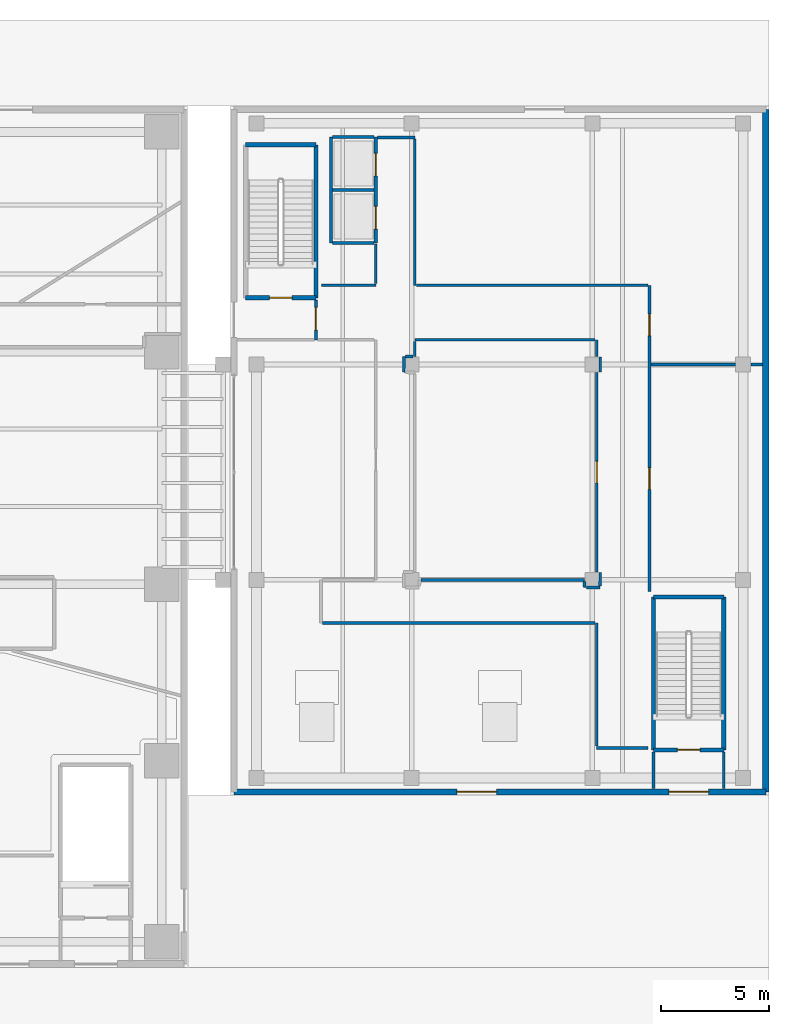
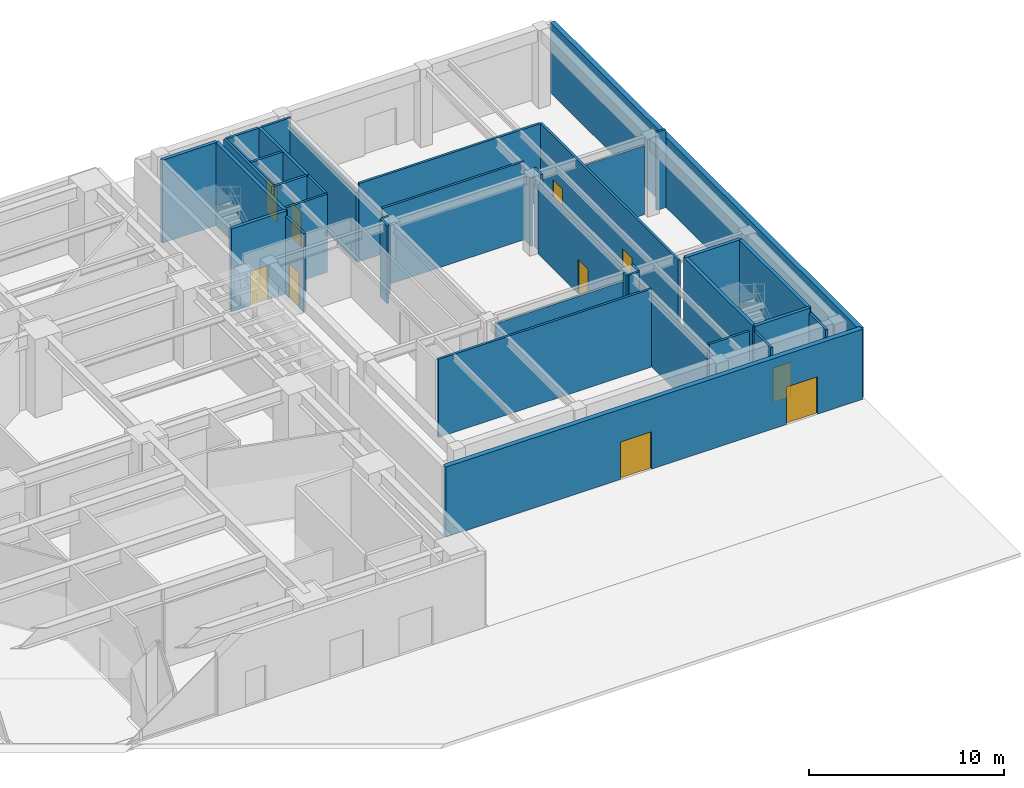
# One storey, part 22 of 28: 39 walls, 10 doors, 10 openings.
"""IFC4 building model written with IfcOpenShell, lengths in metres."""

from ifc_helpers import new_model, si_unit, direction, frame, frame_2d, origin, place, context, subcontext, project, spatial, rectangle, extrude, source, transform, mapped, material, layer, layer_set, type_object, type_shapes, element, fill, save


model = new_model("IFC4")

# Units and contexts
model_context = context("Model", 3, precision=1e-05, world=origin(), true_north=direction((0.0, 1.0)))
body_context = subcontext(model_context, "Body", "Model", "MODEL_VIEW")
ifc_project = project(units=[si_unit("LENGTHUNIT", "METRE"), si_unit("AREAUNIT", "SQUARE_METRE"), si_unit("VOLUMEUNIT", "CUBIC_METRE"), si_unit("PLANEANGLEUNIT", "RADIAN"), si_unit("MASSUNIT", "GRAM", prefix="KILO")], contexts=[model_context])

# Site, building, storey
site_placement = place(None, origin())
site = spatial("IfcSite", under=ifc_project, at=site_placement, CompositionType="ELEMENT")
building_placement = place(site_placement, origin())
building = spatial("IfcBuilding", under=site, at=building_placement, Name="Talar Marvaseh", CompositionType="ELEMENT")
storey_placement = place(building_placement, origin())
storey = spatial("IfcBuildingStorey", under=building, at=storey_placement, Name="L00", CompositionType="ELEMENT", Elevation=0.0)

# Walls
ifc_material_1 = material(Name="Gypsum Board Partition Assembly")
ifc_layer_1 = layer(ifc_material_1, 0.1201171875)
ifc_layer_set_1 = layer_set([ifc_layer_1], Name="Gypsum Board Partition Assembly")
wall_type_1 = type_object("IfcWallType", Name="Demountable Studio Room Partition 120", PredefinedType="PARTITIONING", material=ifc_layer_set_1)
wall_1_placement = place(storey_placement, frame((73.514892578125, 36.0, 0.0), z_axis=(0.0, 0.0, 1.0), x_axis=(1.0, 0.0, 0.0)))
element("IfcWall", 1, at=wall_1_placement, inside=storey, type_object=wall_type_1, Name="L00 Interior Partition Wall", PredefinedType="PARTITIONING", context=body_context, shape_type="SweptSolid", body=[
    extrude(rectangle(XDim=3.925048828125, YDim=0.1201171875, at=frame_2d((1.96240234375, 0.0))), origin(), (0.0, 0.0, 1.0), 4.3310546875),
])
wall_2_placement = place(storey_placement, frame((78.159912109375, 36.0, 0.0), z_axis=(0.0, 0.0, 1.0), x_axis=(1.0, 0.0, 0.0)))
element("IfcWall", 2, at=wall_2_placement, inside=storey, type_object=wall_type_1, Name="L00 Interior Partition Wall", PredefinedType="PARTITIONING", context=body_context, shape_type="SweptSolid", body=[
    extrude(rectangle(XDim=0.5400390625, YDim=0.1201171875, at=frame_2d((0.27001953125, 0.0))), origin(), (0.0, 0.0, 1.0), 4.89990234375),
])
ifc_material_2 = material(Name="Precast concrete C45/55", Category="concrete")
ifc_layer_2 = layer(ifc_material_2, 0.14501953125)
ifc_layer_set_2 = layer_set([ifc_layer_2], Name="Precast concrete C45/55")
wall_type_2 = type_object("IfcWallType", Name="Fire-Rated Lift Divider Wall 145", PredefinedType="SOLIDWALL", material=ifc_layer_set_2)
wall_3_placement = place(storey_placement, frame((58.659912109375, 41.639892578125, 0.0), z_axis=(0.0, 0.0, 1.0), x_axis=(0.0, 1.0, 0.0)))
element("IfcWall", 3, at=wall_3_placement, inside=storey, type_object=wall_type_2, Name="L00 Market Lift Back Wall", PredefinedType="SOLIDWALL", context=body_context, shape_type="SweptSolid", body=[
    extrude(rectangle(XDim=4.920166015625, YDim=0.14501953125, at=frame_2d((2.4599609375, 0.0))), origin(), (0.0, 0.0, 1.0), 4.89990234375),
])
wall_4_placement = place(storey_placement, frame((58.738525390625, 44.10009765625, 0.0), z_axis=(0.0, 0.0, 1.0), x_axis=(1.0, 0.0, 0.0)))
element("IfcWall", 4, at=wall_4_placement, inside=storey, type_object=wall_type_2, Name="L00 Market Lift Divider", PredefinedType="SOLIDWALL", context=body_context, shape_type="SweptSolid", body=[
    extrude(rectangle(XDim=1.907958984375, YDim=0.14501953125, at=frame_2d((0.9541015625, 0.0))), origin(), (0.0, 0.0, 1.0), 4.89990234375),
])
for number, where, z_axis, x_axis, name in (
    (5, (58.739990234375, 41.639892578125, 0.0), (0.0, 0.0, 1.0), (1.0, 0.0, 0.0), "L00 Market Lift South End Wall"),
    (6, (58.739990234375, 46.56005859375, 0.0), (0.0, 0.0, 1.0), (1.0, 0.0, 0.0), "L00 Market Lift North End Wall"),
):
    element("IfcWall", number, at=place(storey_placement, frame(where, z_axis=z_axis, x_axis=x_axis)), inside=storey, type_object=wall_type_2, Name=name, PredefinedType="SOLIDWALL", context=body_context, shape_type="SweptSolid", body=[
        extrude(rectangle(XDim=1.909912109375, YDim=0.14501953125, at=frame_2d((0.955078125, 0.0))), origin(), (0.0, 0.0, 1.0), 4.89990234375),
    ])

# Wall, openings, doors
ifc_layer_3 = layer(ifc_material_2, 0.175048828125)
ifc_layer_set_3 = layer_set([ifc_layer_3], Name="Precast concrete C45/55")
wall_type_3 = type_object("IfcWallType", Name="Fire-Rated Lift Hoistway Enclosure Wall 175", PredefinedType="SOLIDWALL", material=ifc_layer_set_3)
wall_5_placement = place(storey_placement, frame((60.739990234375, 41.639892578125, 0.0), z_axis=(0.0, 0.0, 1.0), x_axis=(0.0, 1.0, 0.0)))
wall_5 = element("IfcWall", 7, at=wall_5_placement, inside=storey, type_object=wall_type_3, Name="L00 Market Lift Bank Front Wall", PredefinedType="SOLIDWALL", context=body_context, shape_type="SweptSolid", body=[
    extrude(rectangle(XDim=4.920166015625, YDim=0.175048828125, at=frame_2d((2.4599609375, 0.0))), origin(), (0.0, 0.0, 1.0), 4.89990234375),
])
opening_1_placement = place(wall_5_placement, frame((0.64990234375, 0.0, 0.0)))
opening_1 = element("IfcOpeningElement", 8, at=opening_1_placement, cuts=wall_5, Name="Opening LD-MHE1", PredefinedType="OPENING", context=body_context, shape_type="SweptSolid", body=[
    extrude(rectangle(XDim=1.050048828125, YDim=2.14990234375, at=frame_2d((0.52490234375, 1.074951171875))), frame((0.0, 0.09765625, 0.0), z_axis=(0.0, -1.0, 0.0), x_axis=(1.0, 0.0, 0.0)), (0.0, 0.0, 1.0), 0.195068359375),
])
opening_2_placement = place(wall_5_placement, frame((3.1201171875, 0.0, 0.0)))
opening_2 = element("IfcOpeningElement", 9, at=opening_2_placement, cuts=wall_5, Name="Opening LD-MHE2", PredefinedType="OPENING", context=body_context, shape_type="SweptSolid", body=[
    extrude(rectangle(XDim=1.050048828125, YDim=2.14990234375, at=frame_2d((0.52490234375, 1.074951171875))), frame((0.0, 0.09765625, 0.0), z_axis=(0.0, -1.0, 0.0), x_axis=(1.0, 0.0, 0.0)), (0.0, 0.0, 1.0), 0.195068359375),
])
ifc_material_3 = material(Name="Stainless Steel Grade 316", Category="steel")
door_type_1 = type_object("IfcDoorType", Name="Automatic Sliding Lift Landing Door 1050x2150", OperationType="NOTDEFINED", PredefinedType="DOOR", material=ifc_material_3)
shared_shape_1 = source(origin(), body_context, "Body", "SweptSolid", [
    extrude(rectangle(XDim=1.050048828125, YDim=2.14990234375, at=frame_2d((0.52490234375, 1.074951171875))), frame((0.0, 0.02490234375, 0.0), z_axis=(0.0, -1.0, 0.0), x_axis=(1.0, 0.0, 0.0)), (0.0, 0.0, 1.0), 0.050048828125),
])
type_shapes(door_type_1, [shared_shape_1])
door_1_placement = place(opening_1_placement, origin())
door_1 = element("IfcDoor", 10, at=door_1_placement, inside=storey, type_object=door_type_1, Name="L00 Lift MH-EL2 Sliding Landing Door", OperationType="SLIDING_TO_LEFT", OverallHeight=2.14990234375, OverallWidth=1.050048828125, PredefinedType="DOOR", context=body_context, shape_type="MappedRepresentation", body=[
    mapped(shared_shape_1, transform((0.0, 0.0, 0.0), x_axis=(1.0, 0.0, 0.0), y_axis=(0.0, 1.0, 0.0), z_axis=(0.0, 0.0, 1.0), scale=1.0)),
])
fill(opening_1, door_1)
door_2_placement = place(opening_2_placement, origin())
door_2 = element("IfcDoor", 11, at=door_2_placement, inside=storey, type_object=door_type_1, Name="L00 Lift MH-EL1 Sliding Landing Door", OperationType="SLIDING_TO_LEFT", OverallHeight=2.14990234375, OverallWidth=1.050048828125, PredefinedType="DOOR", context=body_context, shape_type="MappedRepresentation", body=[
    mapped(shared_shape_1, transform((0.0, 0.0, 0.0), x_axis=(1.0, 0.0, 0.0), y_axis=(0.0, 1.0, 0.0), z_axis=(0.0, 0.0, 1.0), scale=1.0)),
])
fill(opening_2, door_2)

# Wall, opening, door
ifc_layer_4 = layer(ifc_material_1, 0.135009765625)
ifc_layer_set_4 = layer_set([ifc_layer_4], Name="Gypsum Board Partition Assembly")
wall_type_4 = type_object("IfcWallType", Name="Gallery High-Acoustic Partition 135", PredefinedType="PARTITIONING", material=ifc_layer_set_4)
wall_6_placement = place(storey_placement, frame((57.9599609375, 37.14990234375, 0.0), z_axis=(0.0, 0.0, 1.0), x_axis=(0.0, 1.0, 0.0)))
wall_6 = element("IfcWall", 12, at=wall_6_placement, inside=storey, type_object=wall_type_4, Name="L00 Interior Partition Wall", PredefinedType="PARTITIONING", context=body_context, shape_type="SweptSolid", body=[
    extrude(rectangle(XDim=1.843994140625, YDim=0.135009765625, at=frame_2d((0.921875, 0.0))), origin(), (0.0, 0.0, 1.0), 4.89990234375),
])
opening_3_placement = place(wall_6_placement, frame((0.449951171875, 0.0, 0.0)))
opening_3 = element("IfcOpeningElement", 13, at=opening_3_placement, cuts=wall_6, Name="Opening DR-ST105", PredefinedType="OPENING", context=body_context, shape_type="SweptSolid", body=[
    extrude(rectangle(XDim=1.050048828125, YDim=2.14990234375, at=frame_2d((0.52490234375, 1.074951171875))), frame((0.0, 0.07763671875, 0.0), z_axis=(0.0, -1.0, 0.0), x_axis=(1.0, 0.0, 0.0)), (0.0, 0.0, 1.0), 0.155029296875),
])
ifc_material_4 = material(Name="Fire-Rated Steel Door Leaf", Category="steel")
door_type_2 = type_object("IfcDoorType", Name="Protected Exit Stair Fire Door 1050x2150", OperationType="NOTDEFINED", PredefinedType="DOOR", material=ifc_material_4)
shared_shape_2 = source(origin(), body_context, "Body", "SweptSolid", [
    extrude(rectangle(XDim=1.050048828125, YDim=2.14990234375, at=frame_2d((0.52490234375, 1.074951171875))), frame((0.0, 0.02490234375, 0.0), z_axis=(0.0, -1.0, 0.0), x_axis=(1.0, 0.0, 0.0)), (0.0, 0.0, 1.0), 0.050048828125),
])
type_shapes(door_type_2, [shared_shape_2])
door_3_placement = place(opening_3_placement, origin())
door_3 = element("IfcDoor", 14, at=door_3_placement, inside=storey, type_object=door_type_2, Name="L00 Market West Protected Exit Passageway Door", OperationType="SINGLE_SWING_LEFT", OverallHeight=2.14990234375, OverallWidth=1.050048828125, PredefinedType="DOOR", context=body_context, shape_type="MappedRepresentation", body=[
    mapped(shared_shape_2, transform((0.0, 0.0, 0.0), x_axis=(1.0, 0.0, 0.0), y_axis=(0.0, 1.0, 0.0), z_axis=(0.0, 0.0, 1.0), scale=1.0)),
])
fill(opening_3, door_3)

# Wall, openings, doors
wall_7_placement = place(storey_placement, frame((73.449951171875, 39.679931640625, 0.0), z_axis=(0.0, 0.0, 1.0), x_axis=(0.0, -1.0, 0.0)))
wall_7 = element("IfcWall", 15, at=wall_7_placement, inside=storey, type_object=wall_type_4, Name="L00 Interior Partition Wall", PredefinedType="PARTITIONING", context=body_context, shape_type="SweptSolid", body=[
    extrude(rectangle(XDim=14.2099609375, YDim=0.135009765625, at=frame_2d((7.10498046875, 0.0))), origin(), (0.0, 0.0, 1.0), 4.89990234375),
])
opening_4_placement = place(wall_7_placement, frame((8.47998046875, 0.0, 0.0)))
opening_4 = element("IfcOpeningElement", 16, at=opening_4_placement, cuts=wall_7, Name="Opening DR-RM100", PredefinedType="OPENING", context=body_context, shape_type="SweptSolid", body=[
    extrude(rectangle(XDim=1.0, YDim=2.14990234375, at=frame_2d((0.5, 1.074951171875))), frame((0.0, 0.07763671875, 0.0), z_axis=(0.0, -1.0, 0.0), x_axis=(1.0, 0.0, 0.0)), (0.0, 0.0, 1.0), 0.155029296875),
])
opening_5_placement = place(wall_7_placement, frame((1.340087890625, 0.0, 0.0)))
opening_5 = element("IfcOpeningElement", 17, at=opening_5_placement, cuts=wall_7, Name="Opening DR-RM100", PredefinedType="OPENING", context=body_context, shape_type="SweptSolid", body=[
    extrude(rectangle(XDim=1.0, YDim=2.14990234375, at=frame_2d((0.5, 1.074951171875))), frame((0.0, 0.07763671875, 0.0), z_axis=(0.0, -1.0, 0.0), x_axis=(1.0, 0.0, 0.0)), (0.0, 0.0, 1.0), 0.155029296875),
])
ifc_material_5 = material(Name="Acoustic Engineered Oak Timber", Category="wood")
door_type_3 = type_object("IfcDoorType", Name="Corridor Fire-Rated Gallery Door 1000x2150", OperationType="NOTDEFINED", PredefinedType="DOOR", material=ifc_material_5)
shared_shape_3 = source(origin(), body_context, "Body", "SweptSolid", [
    extrude(rectangle(XDim=1.0, YDim=2.14990234375, at=frame_2d((0.5, 1.074951171875))), frame((0.0, 0.02490234375, 0.0), z_axis=(0.0, -1.0, 0.0), x_axis=(1.0, 0.0, 0.0)), (0.0, 0.0, 1.0), 0.050048828125),
])
type_shapes(door_type_3, [shared_shape_3])
door_4_placement = place(opening_4_placement, origin())
door_4 = element("IfcDoor", 18, at=door_4_placement, inside=storey, type_object=door_type_3, Name="L00 WC Market Public and Accessible Toilets Door", OperationType="SINGLE_SWING_LEFT", OverallHeight=2.14990234375, OverallWidth=1.0, PredefinedType="DOOR", context=body_context, shape_type="MappedRepresentation", body=[
    mapped(shared_shape_3, transform((0.0, 0.0, 0.0), x_axis=(1.0, 0.0, 0.0), y_axis=(0.0, 1.0, 0.0), z_axis=(0.0, 0.0, 1.0), scale=1.0)),
])
fill(opening_4, door_4)
door_5_placement = place(opening_5_placement, origin())
door_5 = element("IfcDoor", 19, at=door_5_placement, inside=storey, type_object=door_type_3, Name="L00 Saffron and Tea House Cafe Door", OperationType="SINGLE_SWING_RIGHT", OverallHeight=2.14990234375, OverallWidth=1.0, PredefinedType="DOOR", context=body_context, shape_type="MappedRepresentation", body=[
    mapped(shared_shape_3, transform((0.0, 0.0, 0.0), x_axis=(1.0, 0.0, 0.0), y_axis=(0.0, 1.0, 0.0), z_axis=(0.0, 0.0, 1.0), scale=1.0)),
])
fill(opening_5, door_5)

# Wall, opening, door
wall_8_placement = place(storey_placement, frame((71.0, 26.364990234375, 0.0), z_axis=(0.0, 0.0, 1.0), x_axis=(0.0, 1.0, 0.0)))
wall_8 = element("IfcWall", 20, at=wall_8_placement, inside=storey, type_object=wall_type_4, Name="L00 Interior Partition Wall", PredefinedType="PARTITIONING", context=body_context, shape_type="SweptSolid", body=[
    extrude(rectangle(XDim=9.27001953125, YDim=0.135009765625, at=frame_2d((4.635009765625, 0.0))), origin(), (0.0, 0.0, 1.0), 4.3310546875),
])
opening_6_placement = place(wall_8_placement, frame((4.139892578125, 0.0, 0.0)))
opening_6 = element("IfcOpeningElement", 21, at=opening_6_placement, cuts=wall_8, Name="Opening DR-RM100", PredefinedType="OPENING", context=body_context, shape_type="SweptSolid", body=[
    extrude(rectangle(XDim=1.0, YDim=2.14990234375, at=frame_2d((0.5, 1.074951171875))), frame((0.0, 0.07763671875, 0.0), z_axis=(0.0, -1.0, 0.0), x_axis=(1.0, 0.0, 0.0)), (0.0, 0.0, 1.0), 0.155029296875),
])
door_6_placement = place(opening_6_placement, origin())
door_6 = element("IfcDoor", 22, at=door_6_placement, inside=storey, type_object=door_type_3, Name="L00 Artisan Carpet Showroom Door", OperationType="SINGLE_SWING_RIGHT", OverallHeight=2.14990234375, OverallWidth=1.0, PredefinedType="DOOR", context=body_context, shape_type="MappedRepresentation", body=[
    mapped(shared_shape_3, transform((0.0, 0.0, 0.0), x_axis=(1.0, 0.0, 0.0), y_axis=(0.0, 1.0, 0.0), z_axis=(0.0, 0.0, 1.0), scale=1.0)),
])
fill(opening_6, door_6)

# Walls
for number, where, z_axis, x_axis, name in (
    (23, (73.639892578125, 16.300048828125, 0.0), (0.0, 0.0, 1.0), (0.0, 1.0, 0.0), "L00 Interior Partition Wall"),
    (24, (76.89990234375, 16.300048828125, 0.0), (0.0, 0.0, 1.0), (0.0, 1.0, 0.0), "L00 Interior Partition Wall"),
):
    element("IfcWall", number, at=place(storey_placement, frame(where, z_axis=z_axis, x_axis=x_axis)), inside=storey, type_object=wall_type_4, Name=name, PredefinedType="PARTITIONING", context=body_context, shape_type="SweptSolid", body=[
        extrude(rectangle(XDim=1.69384765625, YDim=0.135009765625, at=frame_2d((0.846923828125, 0.0))), origin(), (0.0, 0.0, 1.0), 4.89990234375),
    ])
wall_9_placement = place(storey_placement, frame((58.219970703125, 39.679931640625, 0.0), z_axis=(0.0, 0.0, 1.0), x_axis=(1.0, 0.0, 0.0)))
element("IfcWall", 25, at=wall_9_placement, inside=storey, type_object=wall_type_4, Name="L00 Interior Partition Wall", PredefinedType="PARTITIONING", context=body_context, shape_type="SweptSolid", body=[
    extrude(rectangle(XDim=2.52001953125, YDim=0.135009765625, at=frame_2d((1.260009765625, 0.0))), origin(), (0.0, 0.0, 1.0), 4.89990234375),
])
wall_10_placement = place(storey_placement, frame((60.739990234375, 39.75341796875, 0.0), z_axis=(0.0, 0.0, 1.0), x_axis=(0.0, 1.0, 0.0)))
element("IfcWall", 26, at=wall_10_placement, inside=storey, type_object=wall_type_4, Name="L00 Interior Partition Wall", PredefinedType="PARTITIONING", context=body_context, shape_type="SweptSolid", body=[
    extrude(rectangle(XDim=1.836669921875, YDim=0.135009765625, at=frame_2d((0.91845703125, 0.0))), origin(), (0.0, 0.0, 1.0), 4.89990234375),
])
wall_11_placement = place(storey_placement, frame((60.80908203125, 46.550048828125, 0.0), z_axis=(0.0, 0.0, 1.0), x_axis=(1.0, 0.0, 0.0)))
element("IfcWall", 27, at=wall_11_placement, inside=storey, type_object=wall_type_4, Name="L00 Interior Partition Wall", PredefinedType="PARTITIONING", context=body_context, shape_type="SweptSolid", body=[
    extrude(rectangle(XDim=1.740966796875, YDim=0.135009765625, at=frame_2d((0.87060546875, 0.0))), origin(), (0.0, 0.0, 1.0), 4.89990234375),
])
wall_12_placement = place(storey_placement, frame((62.550048828125, 46.4765625, 0.0), z_axis=(0.0, 0.0, 1.0), x_axis=(0.0, -1.0, 0.0)))
element("IfcWall", 28, at=wall_12_placement, inside=storey, type_object=wall_type_4, Name="L00 Interior Partition Wall", PredefinedType="PARTITIONING", context=body_context, shape_type="SweptSolid", body=[
    extrude(rectangle(XDim=6.796630859375, YDim=0.135009765625, at=frame_2d((3.3984375, 0.0))), origin(), (0.0, 0.0, 1.0), 4.3310546875),
])
wall_13_placement = place(storey_placement, frame((62.62353515625, 39.679931640625, 0.0), z_axis=(0.0, 0.0, 1.0), x_axis=(1.0, 0.0, 0.0)))
element("IfcWall", 29, at=wall_13_placement, inside=storey, type_object=wall_type_4, Name="L00 Interior Partition Wall", PredefinedType="PARTITIONING", context=body_context, shape_type="SweptSolid", body=[
    extrude(rectangle(XDim=10.7529296875, YDim=0.135009765625, at=frame_2d((5.37646484375, 0.0))), origin(), (0.0, 0.0, 1.0), 4.89990234375),
])
wall_14_placement = place(storey_placement, frame((73.3798828125, 18.199951171875, 0.0), z_axis=(0.0, 0.0, 1.0), x_axis=(-1.0, 0.0, 0.0)))
element("IfcWall", 30, at=wall_14_placement, inside=storey, type_object=wall_type_4, Name="L00 Interior Partition Wall", PredefinedType="PARTITIONING", context=body_context, shape_type="SweptSolid", body=[
    extrude(rectangle(XDim=2.3798828125, YDim=0.135009765625, at=frame_2d((1.18994140625, 0.0))), origin(), (0.0, 0.0, 1.0), 4.89990234375),
])
wall_15_placement = place(storey_placement, frame((71.0, 18.2734375, 0.0), z_axis=(0.0, 0.0, 1.0), x_axis=(0.0, 1.0, 0.0)))
element("IfcWall", 31, at=wall_15_placement, inside=storey, type_object=wall_type_4, Name="L00 Interior Partition Wall", PredefinedType="PARTITIONING", context=body_context, shape_type="SweptSolid", body=[
    extrude(rectangle(XDim=5.7265625, YDim=0.135009765625, at=frame_2d((2.86328125, 0.0))), origin(), (0.0, 0.0, 1.0), 4.3310546875),
])
wall_16_placement = place(storey_placement, frame((70.926513671875, 24.0, 0.0), z_axis=(0.0, 0.0, 1.0), x_axis=(-1.0, 0.0, 0.0)))
element("IfcWall", 32, at=wall_16_placement, inside=storey, type_object=wall_type_4, Name="L00 Interior Partition Wall", PredefinedType="PARTITIONING", context=body_context, shape_type="SweptSolid", body=[
    extrude(rectangle(XDim=12.653076171875, YDim=0.135009765625, at=frame_2d((6.32666015625, 0.0))), origin(), (0.0, 0.0, 1.0), 4.89990234375),
])
wall_17_placement = place(storey_placement, frame((62.050048828125, 36.364990234375, 0.0), z_axis=(0.0, 0.0, 1.0), x_axis=(-0.017209735733, -0.999851901531, 0.0)))
element("IfcWall", 33, at=wall_17_placement, inside=storey, type_object=wall_type_4, Name="L00 Interior Partition Wall", PredefinedType="PARTITIONING", context=body_context, shape_type="SweptSolid", body=[
    extrude(rectangle(XDim=0.723388671875, YDim=0.135009765625, at=frame_2d((0.36181640625, 0.0))), origin(), (0.0, 0.0, 1.0), 4.89990234375),
])
wall_18_placement = place(storey_placement, frame((62.83837890625, 26.0, 0.0), z_axis=(0.0, 0.0, 1.0), x_axis=(1.0, 0.0, 0.0)))
element("IfcWall", 34, at=wall_18_placement, inside=storey, type_object=wall_type_4, Name="L00 Interior Partition Wall", PredefinedType="PARTITIONING", context=body_context, shape_type="SweptSolid", body=[
    extrude(rectangle(XDim=7.5966796875, YDim=0.135009765625, at=frame_2d((3.79833984375, 0.0))), origin(), (0.0, 0.0, 1.0), 4.3310546875),
])
wall_19_placement = place(storey_placement, frame((70.4365234375, 25.926513671875, 0.0), z_axis=(0.0, 0.0, 1.0), x_axis=(0.021898706873, -0.999760194565, 0.0)))
element("IfcWall", 35, at=wall_19_placement, inside=storey, type_object=wall_type_4, Name="L00 Interior Partition Wall", PredefinedType="PARTITIONING", context=body_context, shape_type="SweptSolid", body=[
    extrude(rectangle(XDim=0.289794921875, YDim=0.135009765625, at=frame_2d((0.14501953125, 0.0))), origin(), (0.0, 0.0, 1.0), 4.89990234375),
])
wall_20_placement = place(storey_placement, frame((70.516357421875, 25.636962890625, 0.0), z_axis=(0.0, 0.0, 1.0), x_axis=(0.999997405586, 0.002277898418, 0.0)))
element("IfcWall", 36, at=wall_20_placement, inside=storey, type_object=wall_type_4, Name="L00 Interior Partition Wall", PredefinedType="PARTITIONING", context=body_context, shape_type="SweptSolid", body=[
    extrude(rectangle(XDim=0.64306640625, YDim=0.135009765625, at=frame_2d((0.321533203125, 0.0))), origin(), (0.0, 0.0, 1.0), 4.89990234375),
])
wall_21_placement = place(storey_placement, frame((71.16015625, 25.7119140625, 0.0), z_axis=(0.0, 0.0, 1.0), x_axis=(0.007237905644, 0.999973806018, 0.0)))
element("IfcWall", 37, at=wall_21_placement, inside=storey, type_object=wall_type_4, Name="L00 Interior Partition Wall", PredefinedType="PARTITIONING", context=body_context, shape_type="SweptSolid", body=[
    extrude(rectangle(XDim=0.640869140625, YDim=0.135009765625, at=frame_2d((0.3203125, 0.0))), origin(), (0.0, 0.0, 1.0), 4.89990234375),
])
wall_22_placement = place(storey_placement, frame((71.164794921875, 35.647216796875, 0.0), z_axis=(0.0, 0.0, 1.0), x_axis=(0.000347342806, 0.999999939676, 0.0)))
element("IfcWall", 38, at=wall_22_placement, inside=storey, type_object=wall_type_4, Name="L00 Interior Partition Wall", PredefinedType="PARTITIONING", context=body_context, shape_type="SweptSolid", body=[
    extrude(rectangle(XDim=0.702880859375, YDim=0.135009765625, at=frame_2d((0.3515625, 0.0))), origin(), (0.0, 0.0, 1.0), 4.89990234375),
])
wall_23_placement = place(storey_placement, frame((71.0, 36.364990234375, 0.0), z_axis=(0.0, 0.0, 1.0), x_axis=(0.0, 1.0, 0.0)))
element("IfcWall", 39, at=wall_23_placement, inside=storey, type_object=wall_type_4, Name="L00 Interior Partition Wall", PredefinedType="PARTITIONING", context=body_context, shape_type="SweptSolid", body=[
    extrude(rectangle(XDim=0.784912109375, YDim=0.135009765625, at=frame_2d((0.392578125, 0.0))), origin(), (0.0, 0.0, 1.0), 4.3310546875),
])
wall_24_placement = place(storey_placement, frame((70.926513671875, 37.14990234375, 0.0), z_axis=(0.0, 0.0, 1.0), x_axis=(-1.0, 0.0, 0.0)))
element("IfcWall", 40, at=wall_24_placement, inside=storey, type_object=wall_type_4, Name="L00 Interior Partition Wall", PredefinedType="PARTITIONING", context=body_context, shape_type="SweptSolid", body=[
    extrude(rectangle(XDim=8.37646484375, YDim=0.135009765625, at=frame_2d((4.188232421875, 0.0))), origin(), (0.0, 0.0, 1.0), 4.89990234375),
])
wall_25_placement = place(storey_placement, frame((62.550048828125, 37.076416015625, 0.0), z_axis=(0.0, 0.0, 1.0), x_axis=(0.0, -1.0, 0.0)))
element("IfcWall", 41, at=wall_25_placement, inside=storey, type_object=wall_type_4, Name="L00 Interior Partition Wall", PredefinedType="PARTITIONING", context=body_context, shape_type="SweptSolid", body=[
    extrude(rectangle(XDim=0.71142578125, YDim=0.135009765625, at=frame_2d((0.355712890625, 0.0))), origin(), (0.0, 0.0, 1.0), 4.3310546875),
])
wall_26_placement = place(storey_placement, frame((62.4765625, 36.364990234375, 0.0), z_axis=(0.0, 0.0, 1.0), x_axis=(-1.0, 0.0, 0.0)))
element("IfcWall", 42, at=wall_26_placement, inside=storey, type_object=wall_type_4, Name="L00 Interior Partition Wall", PredefinedType="PARTITIONING", context=body_context, shape_type="SweptSolid", body=[
    extrude(rectangle(XDim=0.35302734375, YDim=0.135009765625, at=frame_2d((0.176513671875, 0.0))), origin(), (0.0, 0.0, 1.0), 4.89990234375),
])

# Wall, openings, doors
ifc_layer_5 = layer(ifc_material_2, 0.2900390625)
ifc_layer_set_5 = layer_set([ifc_layer_5], Name="Precast concrete C45/55")
wall_type_5 = type_object("IfcWallType", Name="Market Hall Precast Limestone Bazaar Wall 290", PredefinedType="SOLIDWALL", material=ifc_layer_set_5)
wall_27_placement = place(storey_placement, frame((78.85009765625, 16.14990234375, 0.0), z_axis=(0.0, 0.0, 1.0), x_axis=(-1.0, 0.0, 0.0)))
wall_27 = element("IfcWall", 43, at=wall_27_placement, inside=storey, type_object=wall_type_5, Name="L00 Market Hall South Forecourt Wall", PredefinedType="SOLIDWALL", context=body_context, shape_type="SweptSolid", body=[
    extrude(rectangle(XDim=24.7001953125, YDim=0.2900390625, at=frame_2d((12.35009765625, 0.0))), origin(), (0.0, 0.0, 1.0), 4.39990234375),
])
opening_7_placement = place(wall_27_placement, frame((2.64990234375, 0.0, 0.0)))
opening_7 = element("IfcOpeningElement", 44, at=opening_7_placement, cuts=wall_27, Name="Opening DR-EXT18", PredefinedType="OPENING", context=body_context, shape_type="SweptSolid", body=[
    extrude(rectangle(XDim=1.85009765625, YDim=2.35009765625, at=frame_2d((0.925048828125, 1.175048828125))), frame((0.0, 0.155029296875, 0.0), z_axis=(0.0, -1.0, 0.0), x_axis=(1.0, 0.0, 0.0)), (0.0, 0.0, 1.0), 0.31005859375),
])
opening_8_placement = place(wall_27_placement, frame((12.5, 0.0, 0.0)))
opening_8 = element("IfcOpeningElement", 45, at=opening_8_placement, cuts=wall_27, Name="Opening DR-EXT18", PredefinedType="OPENING", context=body_context, shape_type="SweptSolid", body=[
    extrude(rectangle(XDim=1.85009765625, YDim=2.35009765625, at=frame_2d((0.925048828125, 1.175048828125))), frame((0.0, 0.155029296875, 0.0), z_axis=(0.0, -1.0, 0.0), x_axis=(1.0, 0.0, 0.0)), (0.0, 0.0, 1.0), 0.31005859375),
])
ifc_material_6 = material(Name="Architectural Aluminium", Category="aluminium")
door_type_4 = type_object("IfcDoorType", Name="Market Plaza Double Bazaar Entrance Door 1850x2350", OperationType="NOTDEFINED", PredefinedType="DOOR", material=ifc_material_6)
shared_shape_4 = source(origin(), body_context, "Body", "SweptSolid", [
    extrude(rectangle(XDim=1.85009765625, YDim=2.35009765625, at=frame_2d((0.925048828125, 1.175048828125))), frame((0.0, 0.02490234375, 0.0), z_axis=(0.0, -1.0, 0.0), x_axis=(1.0, 0.0, 0.0)), (0.0, 0.0, 1.0), 0.050048828125),
])
type_shapes(door_type_4, [shared_shape_4])
door_7_placement = place(opening_7_placement, origin())
door_7 = element("IfcDoor", 46, at=door_7_placement, inside=storey, type_object=door_type_4, Name="L00 Market South-East Stair Exit Door", OperationType="DOUBLE_DOOR_SINGLE_SWING", OverallHeight=2.35009765625, OverallWidth=1.85009765625, PredefinedType="DOOR", context=body_context, shape_type="MappedRepresentation", body=[
    mapped(shared_shape_4, transform((0.0, 0.0, 0.0), x_axis=(1.0, 0.0, 0.0), y_axis=(0.0, 1.0, 0.0), z_axis=(0.0, 0.0, 1.0), scale=1.0)),
])
fill(opening_7, door_7)
door_8_placement = place(opening_8_placement, origin())
door_8 = element("IfcDoor", 47, at=door_8_placement, inside=storey, type_object=door_type_4, Name="L00 Market South Bazaar Plaza Entrance", OperationType="DOUBLE_DOOR_SINGLE_SWING", OverallHeight=2.35009765625, OverallWidth=1.85009765625, PredefinedType="DOOR", context=body_context, shape_type="MappedRepresentation", body=[
    mapped(shared_shape_4, transform((0.0, 0.0, 0.0), x_axis=(1.0, 0.0, 0.0), y_axis=(0.0, 1.0, 0.0), z_axis=(0.0, 0.0, 1.0), scale=1.0)),
])
fill(opening_8, door_8)

# Wall
wall_28_placement = place(storey_placement, frame((78.85009765625, 47.85009765625, 0.0), z_axis=(0.0, 0.0, 1.0), x_axis=(0.0, -1.0, 0.0)))
element("IfcWall", 48, at=wall_28_placement, inside=storey, type_object=wall_type_5, Name="L00 Market Hall East Facade Wall", PredefinedType="SOLIDWALL", context=body_context, shape_type="SweptSolid", body=[
    extrude(rectangle(XDim=31.7001953125, YDim=0.2900390625, at=frame_2d((15.85009765625, 0.0))), origin(), (0.0, 0.0, 1.0), 4.39990234375),
])

# Wall, opening, door
ifc_material_7 = material(Name="Concrete C50/60", Category="concrete")
ifc_layer_6 = layer(ifc_material_7, 0.199951171875)
ifc_layer_set_6 = layer_set([ifc_layer_6], Name="Concrete C50/60")
wall_type_6 = type_object("IfcWallType", Name="Stair Shaft Structural Concrete Shear Wall 200", PredefinedType="SHEAR", material=ifc_layer_set_6)
wall_29_placement = place(storey_placement, frame((57.9599609375, 39.10009765625, 0.0), z_axis=(0.0, 0.0, 1.0), x_axis=(-1.0, 0.0, 0.0)))
wall_29 = element("IfcWall", 49, at=wall_29_placement, inside=storey, type_object=wall_type_6, Name="L00 MH-ST1 South Shear Wall", PredefinedType="SHEAR", context=body_context, shape_type="SweptSolid", body=[
    extrude(rectangle(XDim=3.260009765625, YDim=0.199951171875, at=frame_2d((1.6298828125, 0.0))), origin(), (0.0, 0.0, 1.0), 5.199951171875),
])
opening_9_placement = place(wall_29_placement, frame((1.10009765625, 0.0, 0.0)))
opening_9 = element("IfcOpeningElement", 50, at=opening_9_placement, cuts=wall_29, Name="Opening DR-ST105", PredefinedType="OPENING", context=body_context, shape_type="SweptSolid", body=[
    extrude(rectangle(XDim=1.050048828125, YDim=2.14990234375, at=frame_2d((0.52490234375, 1.074951171875))), frame((0.0, 0.10986328125, 0.0), z_axis=(0.0, -1.0, 0.0), x_axis=(1.0, 0.0, 0.0)), (0.0, 0.0, 1.0), 0.219970703125),
])
door_9_placement = place(opening_9_placement, origin())
door_9 = element("IfcDoor", 51, at=door_9_placement, inside=storey, type_object=door_type_2, Name="L00 MH-ST1 Exit Door", OperationType="SINGLE_SWING_LEFT", OverallHeight=2.14990234375, OverallWidth=1.050048828125, PredefinedType="DOOR", context=body_context, shape_type="MappedRepresentation", body=[
    mapped(shared_shape_2, transform((0.0, 0.0, 0.0), x_axis=(1.0, 0.0, 0.0), y_axis=(0.0, 1.0, 0.0), z_axis=(0.0, 0.0, 1.0), scale=1.0)),
])
fill(opening_9, door_9)

# Walls
wall_30_placement = place(storey_placement, frame((54.699951171875, 46.199951171875, 0.0), z_axis=(0.0, 0.0, 1.0), x_axis=(1.0, 0.0, 0.0)))
element("IfcWall", 52, at=wall_30_placement, inside=storey, type_object=wall_type_6, Name="L00 MH-ST1 North Shear Wall", PredefinedType="SHEAR", context=body_context, shape_type="SweptSolid", body=[
    extrude(rectangle(XDim=3.260009765625, YDim=0.199951171875, at=frame_2d((1.6298828125, 0.0))), origin(), (0.0, 0.0, 1.0), 5.199951171875),
])
wall_31_placement = place(storey_placement, frame((57.9599609375, 39.10009765625, 0.0), z_axis=(0.0, 0.0, 1.0), x_axis=(0.0, 1.0, 0.0)))
element("IfcWall", 53, at=wall_31_placement, inside=storey, type_object=wall_type_6, Name="L00 MH-ST1 East Shear Wall", PredefinedType="SHEAR", context=body_context, shape_type="SweptSolid", body=[
    extrude(rectangle(XDim=7.099853515625, YDim=0.199951171875, at=frame_2d((3.5498046875, 0.0))), origin(), (0.0, 0.0, 1.0), 5.199951171875),
])

# Wall, opening, door
wall_32_placement = place(storey_placement, frame((76.89990234375, 18.10009765625, 0.0), z_axis=(0.0, 0.0, 1.0), x_axis=(-1.0, 0.0, 0.0)))
wall_32 = element("IfcWall", 54, at=wall_32_placement, inside=storey, type_object=wall_type_6, Name="L00 MH-ST2 South Shear Wall", PredefinedType="SHEAR", context=body_context, shape_type="SweptSolid", body=[
    extrude(rectangle(XDim=3.260009765625, YDim=0.199951171875, at=frame_2d((1.6298828125, 0.0))), origin(), (0.0, 0.0, 1.0), 5.199951171875),
])
opening_10_placement = place(wall_32_placement, frame((1.10009765625, 0.0, 0.0)))
opening_10 = element("IfcOpeningElement", 55, at=opening_10_placement, cuts=wall_32, Name="Opening DR-ST105", PredefinedType="OPENING", context=body_context, shape_type="SweptSolid", body=[
    extrude(rectangle(XDim=1.050048828125, YDim=2.14990234375, at=frame_2d((0.52490234375, 1.074951171875))), frame((0.0, 0.10986328125, 0.0), z_axis=(0.0, -1.0, 0.0), x_axis=(1.0, 0.0, 0.0)), (0.0, 0.0, 1.0), 0.219970703125),
])
door_10_placement = place(opening_10_placement, origin())
door_10 = element("IfcDoor", 56, at=door_10_placement, inside=storey, type_object=door_type_2, Name="L00 MH-ST2 Exit Door", OperationType="SINGLE_SWING_LEFT", OverallHeight=2.14990234375, OverallWidth=1.050048828125, PredefinedType="DOOR", context=body_context, shape_type="MappedRepresentation", body=[
    mapped(shared_shape_2, transform((0.0, 0.0, 0.0), x_axis=(1.0, 0.0, 0.0), y_axis=(0.0, 1.0, 0.0), z_axis=(0.0, 0.0, 1.0), scale=1.0)),
])
fill(opening_10, door_10)

# Walls
wall_33_placement = place(storey_placement, frame((73.639892578125, 25.199951171875, 0.0), z_axis=(0.0, 0.0, 1.0), x_axis=(1.0, 0.0, 0.0)))
element("IfcWall", 57, at=wall_33_placement, inside=storey, type_object=wall_type_6, Name="L00 MH-ST2 North Shear Wall", PredefinedType="SHEAR", context=body_context, shape_type="SweptSolid", body=[
    extrude(rectangle(XDim=3.260009765625, YDim=0.199951171875, at=frame_2d((1.6298828125, 0.0))), origin(), (0.0, 0.0, 1.0), 5.199951171875),
])
for number, where, z_axis, x_axis, name in (
    (58, (73.639892578125, 18.10009765625, 0.0), (0.0, 0.0, 1.0), (0.0, 1.0, 0.0), "L00 MH-ST2 West Shear Wall"),
    (59, (76.89990234375, 18.10009765625, 0.0), (0.0, 0.0, 1.0), (0.0, 1.0, 0.0), "L00 MH-ST2 East Shear Wall"),
):
    element("IfcWall", number, at=place(storey_placement, frame(where, z_axis=z_axis, x_axis=x_axis)), inside=storey, type_object=wall_type_6, Name=name, PredefinedType="SHEAR", context=body_context, shape_type="SweptSolid", body=[
        extrude(rectangle(XDim=7.099853515625, YDim=0.199951171875, at=frame_2d((3.5498046875, 0.0))), origin(), (0.0, 0.0, 1.0), 5.199951171875),
    ])

save(model, "model.ifc")
